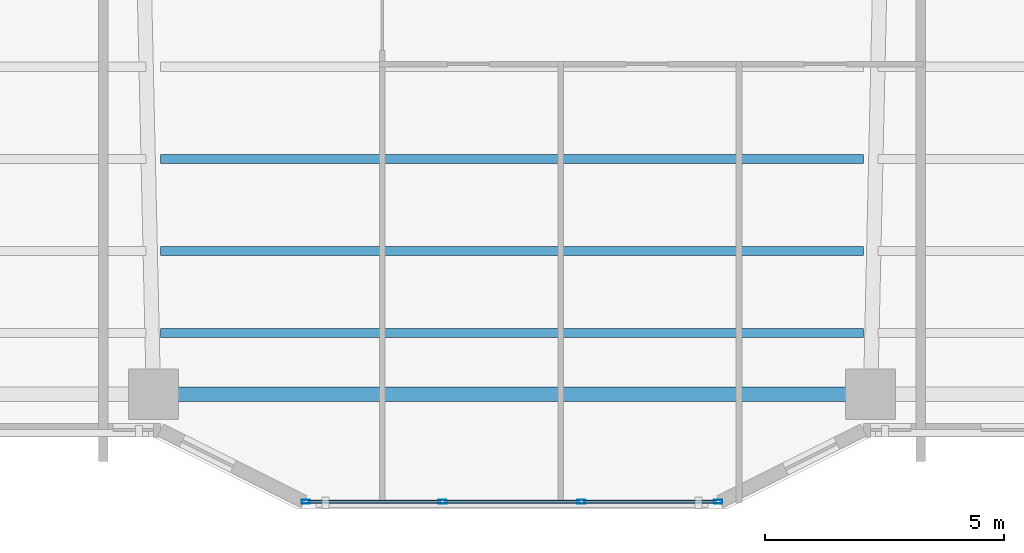
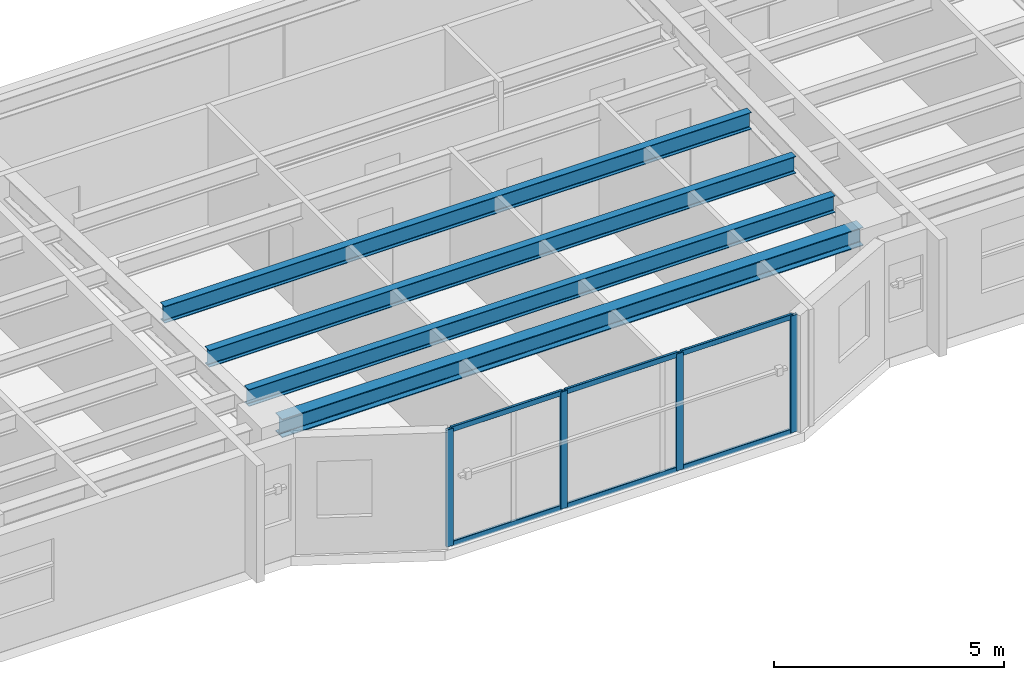
# One storey, part 2 of 18: 10 members, 4 beams, 1 element without a shape of its own.
"""IFC4 building model written with IfcOpenShell, lengths in metres."""

import ifcopenshell
import ifcopenshell.guid

model = None  # the IFC model being written
_history = None  # IfcOwnerHistory: only IFC2X3 demands one
_inside = {}  # id of a spatial element -> (the spatial element, [elements in it])
_under = {}  # id of a project, library or spatial element -> (it, [spatial elements below it])
_declared = {}  # id of a project -> (the project, [libraries it declares])
_typed = {}  # id of a type object -> (the type object, [elements of that type])
_made_of = {}  # id of a material, layer set ... -> (it, [elements and type objects made of it])


def new_model(schema):
    """Start an empty IFC model of exactly this schema.

    Asked for "IFC4X3", IfcOpenShell would pick the latest addendum, in which some entities
    have other attributes; the version numbers below select the first issue.
    IFC2X3 requires an IfcOwnerHistory on every rooted entity: one is made here for all.
    """
    global model, _history
    if schema == "IFC4X3":
        model = ifcopenshell.file(schema_version=(4, 3, 0, 0))
    else:
        model = ifcopenshell.file(schema=schema)
    _inside.clear()
    _under.clear()
    _declared.clear()
    _typed.clear()
    _made_of.clear()
    _history = None
    if model.schema == "IFC2X3":
        org = make("IfcOrganization", Name="unknown")
        user = make(
            "IfcPersonAndOrganization",
            ThePerson=make("IfcPerson", FamilyName="unknown"),
            TheOrganization=org,
        )
        app = make(
            "IfcApplication",
            ApplicationDeveloper=org,
            Version="unknown",
            ApplicationFullName="unknown",
            ApplicationIdentifier="unknown",
        )
        _history = make(
            "IfcOwnerHistory",
            OwningUser=user,
            OwningApplication=app,
            ChangeAction="ADDED",
            CreationDate=0,
        )
    return model


def make(cls, **values):
    """One entity of the class cls with the attributes given. An attribute that is None is left unset."""
    return model.create_entity(
        cls, **{name: value for name, value in values.items() if value is not None}
    )


def rooted(cls, **values):
    """An entity with a GlobalId (a new one), such as an element, a storey or a relation."""
    return make(cls, GlobalId=ifcopenshell.guid.new(), OwnerHistory=_history, **values)


def si_unit(unit_type, name, prefix=None):
    """IfcSIUnit, for example si_unit("LENGTHUNIT", "METRE", prefix="MILLI")."""
    return make("IfcSIUnit", UnitType=unit_type, Prefix=prefix, Name=name)


def assignment(units):
    """IfcUnitAssignment: the units of a project."""
    return None if units is None else make("IfcUnitAssignment", Units=units)


def point(xyz):
    """IfcCartesianPoint."""
    return None if xyz is None else make("IfcCartesianPoint", Coordinates=xyz)


def direction(xyz):
    """IfcDirection."""
    return None if xyz is None else make("IfcDirection", DirectionRatios=xyz)


def frame(location, z_axis=None, x_axis=None):
    """IfcAxis2Placement3D, a coordinate frame: its origin and axes. An axis left out is left unset."""
    return make(
        "IfcAxis2Placement3D",
        Location=point(location),
        Axis=direction(z_axis),
        RefDirection=direction(x_axis),
    )


def frame_2d(location, x_axis=None):
    """IfcAxis2Placement2D, a coordinate frame in the plane: its origin and x axis."""
    return make(
        "IfcAxis2Placement2D", Location=point(location), RefDirection=direction(x_axis)
    )


def origin():
    """The frame at (0, 0, 0) with its axes left unset."""
    return frame((0.0, 0.0, 0.0))


def origin_2d():
    """The frame at (0, 0) in the plane with its x axis left unset."""
    return frame_2d((0.0, 0.0))


def place(relative_to, where):
    """IfcLocalPlacement: puts the frame where relative to a parent placement (None: the world)."""
    return make(
        "IfcLocalPlacement", PlacementRelTo=relative_to, RelativePlacement=where
    )


def context(
    kind, dimensions, precision=None, world=None, true_north=None, identifier=None
):
    """IfcGeometricRepresentationContext, for example the 3D "Model" context."""
    return make(
        "IfcGeometricRepresentationContext",
        ContextIdentifier=identifier,
        ContextType=kind,
        CoordinateSpaceDimension=dimensions,
        Precision=precision,
        WorldCoordinateSystem=world,
        TrueNorth=true_north,
    )


def subcontext(parent, identifier, kind, view, scale=None):
    """IfcGeometricRepresentationSubContext, for example "Body" below "Model"."""
    return make(
        "IfcGeometricRepresentationSubContext",
        ContextIdentifier=identifier,
        ContextType=kind,
        ParentContext=parent,
        TargetScale=scale,
        TargetView=view,
    )


def project(units=None, contexts=None):
    """IfcProject with its units and contexts."""
    return rooted(
        "IfcProject",
        Name="project",
        RepresentationContexts=contexts,
        UnitsInContext=assignment(units),
    )


def spatial(cls, under=None, at=None, **own):
    """A site, building, storey or space (cls), placed at a placement, below another one or the project."""
    s = rooted(cls, ObjectPlacement=at, **own)
    if under is not None:
        _under.setdefault(under.id(), (under, []))[1].append(s)
    return s


def profile(cls, at=None, kind="AREA", **sizes):
    """A parametric profile (cls). Its sizes go by their IFC names, for example OverallWidth=200.0."""
    return make(cls, ProfileType=kind, Position=at, **sizes)


def hollow_rectangle(**sizes):
    """IfcRectangleHollowProfileDef."""
    return profile("IfcRectangleHollowProfileDef", **sizes)


def i_section(**sizes):
    """IfcIShapeProfileDef."""
    return profile("IfcIShapeProfileDef", **sizes)


def extrude(swept, where, along, depth):
    """IfcExtrudedAreaSolid: the profile swept, set in the frame where, extruded along a direction by depth."""
    return make(
        "IfcExtrudedAreaSolid",
        SweptArea=swept,
        Position=where,
        ExtrudedDirection=direction(along),
        Depth=depth,
    )


def shape(context_of_items, identifier, shape_type, items):
    """IfcShapeRepresentation: the items that make up one representation, for example the "Body"."""
    return make(
        "IfcShapeRepresentation",
        ContextOfItems=context_of_items,
        RepresentationIdentifier=identifier,
        RepresentationType=shape_type,
        Items=items,
    )


def material(Name=None, Category=None):
    """IfcMaterial."""
    return make("IfcMaterial", Name=Name, Category=Category)


def layer(
    of_material, thickness, ventilated=None, Name=None, Category=None, Priority=None
):
    """IfcMaterialLayer: one layer of a wall or slab, of a material (None: an air gap)."""
    return make(
        "IfcMaterialLayer",
        Material=of_material,
        LayerThickness=thickness,
        IsVentilated=ventilated,
        Name=Name,
        Category=Category,
        Priority=Priority,
    )


def layer_set(layers, Name=None):
    """IfcMaterialLayerSet."""
    return make("IfcMaterialLayerSet", MaterialLayers=layers, LayerSetName=Name)


def material_profile(
    of_material, cross_section, Name=None, Category=None, Priority=None
):
    """IfcMaterialProfile: a cross section and its material."""
    return make(
        "IfcMaterialProfile",
        Name=Name,
        Material=of_material,
        Profile=cross_section,
        Priority=Priority,
        Category=Category,
    )


def profile_set(profiles, Name=None, composite=None):
    """IfcMaterialProfileSet."""
    return make(
        "IfcMaterialProfileSet",
        Name=Name,
        MaterialProfiles=profiles,
        CompositeProfile=composite,
    )


def made_of(thing, what):
    """Note that an element or type object is made of a material, layer set ...; save() writes the relation."""
    if what is not None:
        _made_of.setdefault(what.id(), (what, []))[1].append(thing)
    return thing


def type_object(cls, material=None, **own):
    """A type object (cls), such as IfcWallType, which elements share."""
    return made_of(rooted(cls, **own), material)


def element(
    cls,
    number,
    at=None,
    inside=None,
    cuts=None,
    type_object=None,
    material=None,
    context=None,
    identifier="Body",
    shape_type=None,
    held_by="IfcProductDefinitionShape",
    body=None,
    shapes=None,
    **own,
):
    """One element of the class cls, such as IfcWall. Its Tag is "e" and its number.

    at: its placement. inside: the storey or other place that contains it. cuts: it is an
    opening in that element (IfcRelVoidsElement). A single representation is given by context,
    identifier, shape_type and body (its items); several are given by shapes. held_by: the class
    of the entity that holds the representations. save() writes the other relations.
    """
    e = rooted(cls, Tag="e%d" % number, ObjectPlacement=at, **own)
    if body is not None:
        shapes = [shape(context, identifier, shape_type, body)]
    if shapes is not None:
        e.Representation = make(held_by, Representations=shapes)
    if inside is not None:
        _inside.setdefault(inside.id(), (inside, []))[1].append(e)
    if cuts is not None:
        rooted(
            "IfcRelVoidsElement", RelatingBuildingElement=cuts, RelatedOpeningElement=e
        )
    if type_object is not None:
        _typed.setdefault(type_object.id(), (type_object, []))[1].append(e)
    return made_of(e, material)


def aggregate(whole, parts):
    """IfcRelAggregates: a whole, such as a stair, and the parts it consists of."""
    return rooted("IfcRelAggregates", RelatingObject=whole, RelatedObjects=parts)


def save(model, path):
    """Write the relations noted so far, then the file.

    IfcRelAggregates (storeys below a building ...), IfcRelContainedInSpatialStructure (elements
    in a storey), IfcRelDefinesByType, IfcRelAssociatesMaterial and IfcRelDeclares: one each for
    every whole, place, type object, material and project.
    """
    for whole, parts in _under.values():
        aggregate(whole, parts)
    for where, things in _inside.values():
        rooted(
            "IfcRelContainedInSpatialStructure",
            RelatedElements=things,
            RelatingStructure=where,
        )
    for kind, things in _typed.values():
        rooted("IfcRelDefinesByType", RelatedObjects=things, RelatingType=kind)
    for what, things in _made_of.values():
        rooted("IfcRelAssociatesMaterial", RelatedObjects=things, RelatingMaterial=what)
    for by, libraries in _declared.values():
        rooted("IfcRelDeclares", RelatingContext=by, RelatedDefinitions=libraries)
    model.write(path)


model = new_model("IFC4")

# Units and contexts
model_context = context("Model", 3, precision=1e-05, world=origin(), true_north=direction((0.0, 1.0)))
body_context = subcontext(model_context, "Body", "Model", "MODEL_VIEW")
ifc_project = project(units=[si_unit("LENGTHUNIT", "METRE"), si_unit("AREAUNIT", "SQUARE_METRE"), si_unit("VOLUMEUNIT", "CUBIC_METRE"), si_unit("PLANEANGLEUNIT", "RADIAN"), si_unit("MASSUNIT", "GRAM", prefix="KILO")], contexts=[model_context])

# Site, building, storey
site_placement = place(None, origin())
site = spatial("IfcSite", under=ifc_project, at=site_placement, CompositionType="ELEMENT")
building_placement = place(site_placement, origin())
building = spatial("IfcBuilding", under=site, at=building_placement, Name="Tarnavaz Court Tower", CompositionType="ELEMENT")
storey_placement = place(building_placement, frame((0.0, 0.0, 91.699951171875)))
storey = spatial("IfcBuildingStorey", under=building, at=storey_placement, Name="L24", CompositionType="ELEMENT", Elevation=91.699951171875)

# Beams
ifc_material_1 = material(Name="Steel S355", Category="steel")
ifc_material_profile_1 = material_profile(ifc_material_1, i_section(OverallWidth=0.18994140625, OverallDepth=0.449951171875, WebThickness=0.009521484375, FlangeThickness=0.0146484375, FilletRadius=0.02099609375, at=origin_2d()), Name="IPE 450")
ifc_profile_set_1 = profile_set([ifc_material_profile_1], Name="Steel S355")
beam_type_1 = type_object("IfcBeamType", Name="BM-J-IPE450", PredefinedType="JOIST", material=ifc_profile_set_1)
for number, where, z_axis, x_axis, name in (
    (1, (-7.35009765625, -16.3779296875, 2.875), (1.0, 0.0, 0.0), (0.0, 1.0, 0.0), "L24 Beam JS3-2"),
    (2, (-7.35009765625, -18.303955078125, 2.875), (1.0, 0.0, 0.0), (0.0, 1.0, 0.0), "L24 Beam JS4-2"),
    (3, (-7.35009765625, -20.01611328125, 2.875), (1.0, 0.0, 0.0), (0.0, 1.0, 0.0), "L24 Beam JS5-2"),
):
    element("IfcBeam", number, at=place(storey_placement, frame(where, z_axis=z_axis, x_axis=x_axis)), inside=storey, type_object=beam_type_1, Name=name, PredefinedType="JOIST", context=body_context, shape_type="SweptSolid", body=[
        extrude(i_section(OverallWidth=0.18994140625, OverallDepth=0.449951171875, WebThickness=0.009521484375, FlangeThickness=0.0146484375, FilletRadius=0.02099609375, at=origin_2d()), origin(), (0.0, 0.0, 1.0), 14.7001953125),
    ])
ifc_material_profile_2 = material_profile(ifc_material_1, i_section(OverallWidth=0.300048828125, OverallDepth=0.489990234375, WebThickness=0.011962890625, FlangeThickness=0.02294921875, FilletRadius=0.027099609375, at=origin_2d()), Name="HEA 500")
ifc_profile_set_2 = profile_set([ifc_material_profile_2], Name="Steel S355")
beam_type_2 = type_object("IfcBeamType", Name="BM-SP-HEA500", PredefinedType="SPANDREL", material=ifc_profile_set_2)
beam_placement = place(storey_placement, frame((-7.280029296875, -21.300048828125, 2.85498046875), z_axis=(1.0, 0.0, 0.0), x_axis=(0.0, 1.0, 0.0)))
element("IfcBeam", 4, at=beam_placement, inside=storey, type_object=beam_type_2, Name="L24 Beam PR-PS-2-PS-3", PredefinedType="SPANDREL", context=body_context, shape_type="SweptSolid", body=[
    extrude(i_section(OverallWidth=0.300048828125, OverallDepth=0.489990234375, WebThickness=0.011962890625, FlangeThickness=0.02294921875, FilletRadius=0.027099609375, at=origin_2d()), origin(), (0.0, 0.0, 1.0), 14.56005859375),
])

# Curtain wall, members
ifc_material_2 = material(Name="Anodised Aluminium 6063-T6 and Solar Low-E Glazing", Category="aluminium")
ifc_layer = layer(ifc_material_2, 0.179931640625)
ifc_layer_set = layer_set([ifc_layer], Name="Anodised Aluminium 6063-T6 and Solar Low-E Glazing")
curtain_wall_type = type_object("IfcCurtainWallType", Name="CW-SYS-02", PredefinedType="NOTDEFINED", material=ifc_layer_set)
curtain_wall_placement = place(storey_placement, origin())
curtain_wall = element("IfcCurtainWall", 5, at=curtain_wall_placement, inside=storey, type_object=curtain_wall_type, Name="L24 Iwan Prow Curtain Wall 17", PredefinedType="NOTDEFINED")
ifc_material_3 = material(Name="Anodised Aluminium 6063-T6", Category="aluminium")
ifc_material_profile_3 = material_profile(ifc_material_3, hollow_rectangle(XDim=0.074951171875, YDim=0.179931640625, WallThickness=0.0048828125, InnerFilletRadius=0.0048828125, OuterFilletRadius=0.010009765625, at=origin_2d()), Name="ALU RHS 180X75X5")
ifc_profile_set_3 = profile_set([ifc_material_profile_3], Name="Anodised Aluminium 6063-T6")
member_type_1 = type_object("IfcMemberType", Name="CW-MUL-180", PredefinedType="MULLION", material=ifc_profile_set_3)
member_1_placement = place(storey_placement, frame((4.3125, -23.550048828125, 0.0), z_axis=(0.0, 0.0, 1.0), x_axis=(0.0, -1.0, 0.0)))
member_1 = element("IfcMember", 6, at=member_1_placement, type_object=member_type_1, Name="CW mullion 1", PredefinedType="MULLION", context=body_context, shape_type="SweptSolid", body=[
    extrude(hollow_rectangle(XDim=0.074951171875, YDim=0.179931640625, WallThickness=0.0048828125, InnerFilletRadius=0.0048828125, OuterFilletRadius=0.010009765625, at=origin_2d()), origin(), (0.0, 0.0, 1.0), 3.10009765625),
])
member_2_placement = place(storey_placement, frame((1.449951171875, -23.550048828125, 0.0), z_axis=(0.0, 0.0, 1.0), x_axis=(0.0, -1.0, 0.0)))
member_2 = element("IfcMember", 7, at=member_2_placement, type_object=member_type_1, Name="CW mullion 2", PredefinedType="MULLION", context=body_context, shape_type="SweptSolid", body=[
    extrude(hollow_rectangle(XDim=0.074951171875, YDim=0.179931640625, WallThickness=0.0048828125, InnerFilletRadius=0.0048828125, OuterFilletRadius=0.010009765625, at=origin_2d()), origin(), (0.0, 0.0, 1.0), 3.10009765625),
])
member_3_placement = place(storey_placement, frame((-1.449951171875, -23.550048828125, 0.0), z_axis=(0.0, 0.0, 1.0), x_axis=(0.0, -1.0, 0.0)))
member_3 = element("IfcMember", 8, at=member_3_placement, type_object=member_type_1, Name="CW mullion 3", PredefinedType="MULLION", context=body_context, shape_type="SweptSolid", body=[
    extrude(hollow_rectangle(XDim=0.074951171875, YDim=0.179931640625, WallThickness=0.0048828125, InnerFilletRadius=0.0048828125, OuterFilletRadius=0.010009765625, at=origin_2d()), origin(), (0.0, 0.0, 1.0), 3.10009765625),
])
member_4_placement = place(storey_placement, frame((-4.3125, -23.550048828125, 0.0), z_axis=(0.0, 0.0, 1.0), x_axis=(0.0, -1.0, 0.0)))
member_4 = element("IfcMember", 9, at=member_4_placement, type_object=member_type_1, Name="CW mullion 4", PredefinedType="MULLION", context=body_context, shape_type="SweptSolid", body=[
    extrude(hollow_rectangle(XDim=0.074951171875, YDim=0.179931640625, WallThickness=0.0048828125, InnerFilletRadius=0.0048828125, OuterFilletRadius=0.010009765625, at=origin_2d()), origin(), (0.0, 0.0, 1.0), 3.10009765625),
])
ifc_material_profile_4 = material_profile(ifc_material_3, hollow_rectangle(XDim=0.06494140625, YDim=0.139892578125, WallThickness=0.00390625, InnerFilletRadius=0.00390625, OuterFilletRadius=0.008056640625, at=origin_2d()), Name="ALU RHS 140X65X4")
ifc_profile_set_4 = profile_set([ifc_material_profile_4], Name="Anodised Aluminium 6063-T6")
member_type_2 = type_object("IfcMemberType", Name="CW-TRN-140", PredefinedType="USERDEFINED", material=ifc_profile_set_4)
member_5_placement = place(storey_placement, frame((4.27490234375, -23.550048828125, 0.032470703125), z_axis=(-1.0, 0.0, 0.0), x_axis=(0.0, -1.0, 0.0)))
member_5 = element("IfcMember", 10, at=member_5_placement, type_object=member_type_2, Name="CW transom 1.1", ObjectType="TRANSOM", PredefinedType="USERDEFINED", context=body_context, shape_type="SweptSolid", body=[
    extrude(hollow_rectangle(XDim=0.06494140625, YDim=0.139892578125, WallThickness=0.00390625, InnerFilletRadius=0.00390625, OuterFilletRadius=0.008056640625, at=origin_2d()), origin(), (0.0, 0.0, 1.0), 2.787353515625),
])
member_6_placement = place(storey_placement, frame((4.27490234375, -23.550048828125, 3.067626953125), z_axis=(-1.0, 0.0, 0.0), x_axis=(0.0, -1.0, 0.0)))
member_6 = element("IfcMember", 11, at=member_6_placement, type_object=member_type_2, Name="CW transom 1.2", ObjectType="TRANSOM", PredefinedType="USERDEFINED", context=body_context, shape_type="SweptSolid", body=[
    extrude(hollow_rectangle(XDim=0.06494140625, YDim=0.139892578125, WallThickness=0.00390625, InnerFilletRadius=0.00390625, OuterFilletRadius=0.008056640625, at=origin_2d()), origin(), (0.0, 0.0, 1.0), 2.787353515625),
])
member_7_placement = place(storey_placement, frame((1.41259765625, -23.550048828125, 0.032470703125), z_axis=(-1.0, 0.0, 0.0), x_axis=(0.0, -1.0, 0.0)))
member_7 = element("IfcMember", 12, at=member_7_placement, type_object=member_type_2, Name="CW transom 2.1", ObjectType="TRANSOM", PredefinedType="USERDEFINED", context=body_context, shape_type="SweptSolid", body=[
    extrude(hollow_rectangle(XDim=0.06494140625, YDim=0.139892578125, WallThickness=0.00390625, InnerFilletRadius=0.00390625, OuterFilletRadius=0.008056640625, at=origin_2d()), origin(), (0.0, 0.0, 1.0), 2.8251953125),
])
member_8_placement = place(storey_placement, frame((1.41259765625, -23.550048828125, 3.067626953125), z_axis=(-1.0, 0.0, 0.0), x_axis=(0.0, -1.0, 0.0)))
member_8 = element("IfcMember", 13, at=member_8_placement, type_object=member_type_2, Name="CW transom 2.2", ObjectType="TRANSOM", PredefinedType="USERDEFINED", context=body_context, shape_type="SweptSolid", body=[
    extrude(hollow_rectangle(XDim=0.06494140625, YDim=0.139892578125, WallThickness=0.00390625, InnerFilletRadius=0.00390625, OuterFilletRadius=0.008056640625, at=origin_2d()), origin(), (0.0, 0.0, 1.0), 2.8251953125),
])
member_9_placement = place(storey_placement, frame((-1.487548828125, -23.550048828125, 0.032470703125), z_axis=(-1.0, 0.0, 0.0), x_axis=(0.0, -1.0, 0.0)))
member_9 = element("IfcMember", 14, at=member_9_placement, type_object=member_type_2, Name="CW transom 3.1", ObjectType="TRANSOM", PredefinedType="USERDEFINED", context=body_context, shape_type="SweptSolid", body=[
    extrude(hollow_rectangle(XDim=0.06494140625, YDim=0.139892578125, WallThickness=0.00390625, InnerFilletRadius=0.00390625, OuterFilletRadius=0.008056640625, at=origin_2d()), origin(), (0.0, 0.0, 1.0), 2.787353515625),
])
member_10_placement = place(storey_placement, frame((-1.487548828125, -23.550048828125, 3.067626953125), z_axis=(-1.0, 0.0, 0.0), x_axis=(0.0, -1.0, 0.0)))
member_10 = element("IfcMember", 15, at=member_10_placement, type_object=member_type_2, Name="CW transom 3.2", ObjectType="TRANSOM", PredefinedType="USERDEFINED", context=body_context, shape_type="SweptSolid", body=[
    extrude(hollow_rectangle(XDim=0.06494140625, YDim=0.139892578125, WallThickness=0.00390625, InnerFilletRadius=0.00390625, OuterFilletRadius=0.008056640625, at=origin_2d()), origin(), (0.0, 0.0, 1.0), 2.787353515625),
])
aggregate(curtain_wall, [member_1, member_2, member_3, member_4, member_5, member_6, member_7, member_8, member_9, member_10])

save(model, "model.ifc")
